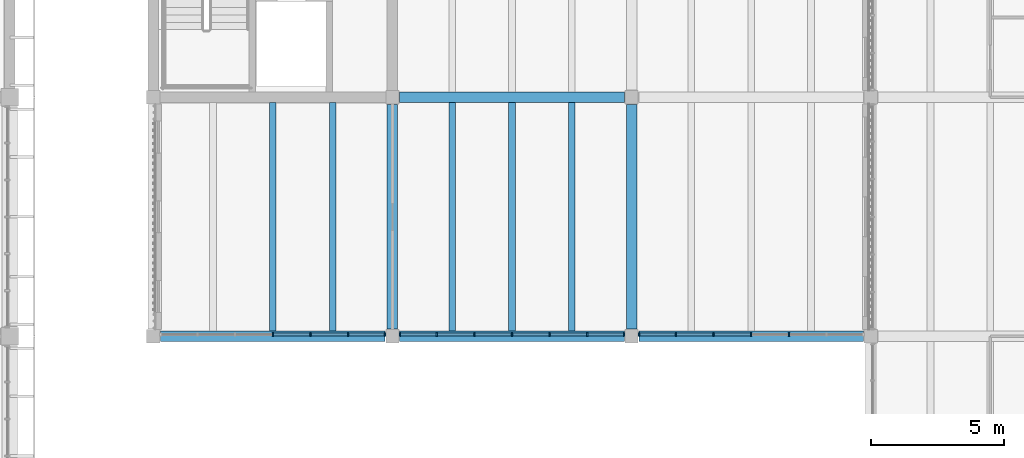
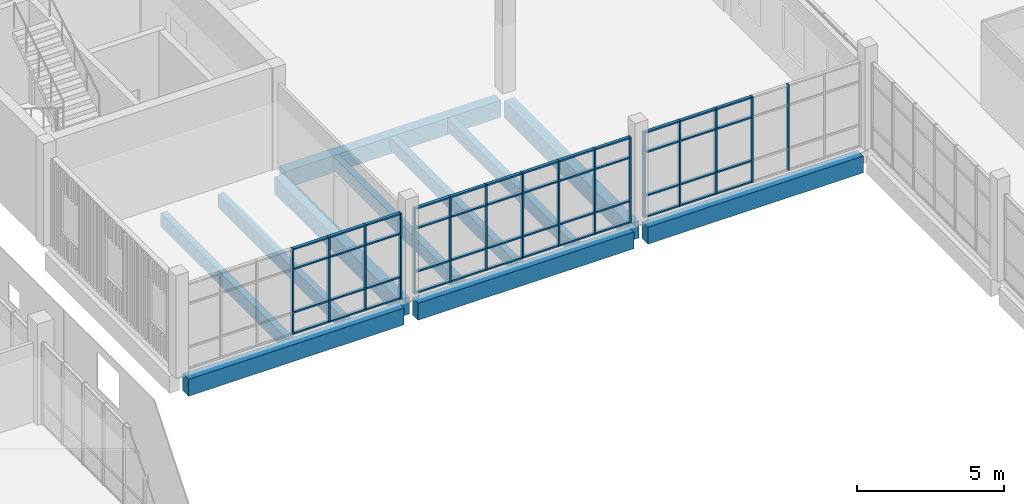
# One storey, part 23 of 92: 64 members, 11 beams, 3 elements without a shape of their own.
"""IFC4 building model written with IfcOpenShell, lengths in metres."""

from ifc_helpers import new_model, si_unit, direction, frame, origin, origin_2d, place, context, subcontext, project, spatial, rectangle, extrude, material, material_profile, profile_set, type_object, element, aggregate, save


model = new_model("IFC4")

# Units and contexts
model_context = context("Model", 3, precision=1e-05, world=origin(), true_north=direction((0.0, 1.0)))
body_context = subcontext(model_context, "Body", "Model", "MODEL_VIEW")
ifc_project = project(units=[si_unit("LENGTHUNIT", "METRE"), si_unit("AREAUNIT", "SQUARE_METRE"), si_unit("VOLUMEUNIT", "CUBIC_METRE"), si_unit("PLANEANGLEUNIT", "RADIAN"), si_unit("MASSUNIT", "GRAM", prefix="KILO")], contexts=[model_context])

# Site, building, storey
site_placement = place(None, origin())
site = spatial("IfcSite", under=ifc_project, at=site_placement, CompositionType="ELEMENT")
building_placement = place(site_placement, origin())
building = spatial("IfcBuilding", under=site, at=building_placement, Name="Merrow Basin Faculty of Sciences", CompositionType="ELEMENT")
storey_placement = place(building_placement, frame((0.0, 0.0, 4.5)))
storey = spatial("IfcBuildingStorey", under=building, at=storey_placement, Name="L01", CompositionType="ELEMENT", Elevation=4.5)

# Curtain wall, members
ifc_material_1 = material(Name="Aluminium alloy 6063", Category="aluminium")
curtain_wall_type = type_object("IfcCurtainWallType", Name="Court curtain wall 140", PredefinedType="NOTDEFINED", material=ifc_material_1)
curtain_wall_1_placement = place(storey_placement, origin())
curtain_wall_1 = element("IfcCurtainWall", 1, at=curtain_wall_1_placement, inside=storey, type_object=curtain_wall_type, Name="Court curtain wall L01 1", PredefinedType="NOTDEFINED")
ifc_material_2 = material(Name="Aluminium alloy 6063", Category="aluminium")
ifc_material_profile_1 = material_profile(ifc_material_2, rectangle(XDim=0.139892578125, YDim=0.06005859375, at=origin_2d()))
ifc_profile_set_1 = profile_set([ifc_material_profile_1], Name="Aluminium alloy 6063")
member_type_1 = type_object("IfcMemberType", Name="Aluminium mullion 60x140", PredefinedType="MULLION", material=ifc_profile_set_1)
member_1_placement = place(storey_placement, frame((31.5, 115.070068359375, 0.0), z_axis=(0.0, 0.0, 1.0), x_axis=(0.0, 1.0, 0.0)))
member_1 = element("IfcMember", 2, at=member_1_placement, type_object=member_type_1, Name="CW8 mullion 4", PredefinedType="MULLION", context=body_context, shape_type="SweptSolid", body=[
    extrude(rectangle(XDim=0.139892578125, YDim=0.06005859375, at=origin_2d()), origin(), (0.0, 0.0, 1.0), 3.550048828125),
])
member_2_placement = place(storey_placement, frame((32.916748046875, 115.070068359375, 0.0), z_axis=(0.0, 0.0, 1.0), x_axis=(0.0, 1.0, 0.0)))
member_2 = element("IfcMember", 3, at=member_2_placement, type_object=member_type_1, Name="CW8 mullion 5", PredefinedType="MULLION", context=body_context, shape_type="SweptSolid", body=[
    extrude(rectangle(XDim=0.139892578125, YDim=0.06005859375, at=origin_2d()), origin(), (0.0, 0.0, 1.0), 3.550048828125),
])
member_3_placement = place(storey_placement, frame((34.333251953125, 115.070068359375, 0.0), z_axis=(0.0, 0.0, 1.0), x_axis=(0.0, 1.0, 0.0)))
member_3 = element("IfcMember", 4, at=member_3_placement, type_object=member_type_1, Name="CW8 mullion 6", PredefinedType="MULLION", context=body_context, shape_type="SweptSolid", body=[
    extrude(rectangle(XDim=0.139892578125, YDim=0.06005859375, at=origin_2d()), origin(), (0.0, 0.0, 1.0), 3.550048828125),
])
member_4_placement = place(storey_placement, frame((35.719970703125, 115.070068359375, 0.0), z_axis=(0.0, 0.0, 1.0), x_axis=(0.0, 1.0, 0.0)))
member_4 = element("IfcMember", 5, at=member_4_placement, type_object=member_type_1, Name="CW8 mullion 7", PredefinedType="MULLION", context=body_context, shape_type="SweptSolid", body=[
    extrude(rectangle(XDim=0.139892578125, YDim=0.06005859375, at=origin_2d()), origin(), (0.0, 0.0, 1.0), 3.550048828125),
])

curtain_wall_2_placement = place(storey_placement, origin())
curtain_wall_2 = element("IfcCurtainWall", 6, at=curtain_wall_2_placement, inside=storey, type_object=curtain_wall_type, Name="Court curtain wall L01 2", PredefinedType="NOTDEFINED")
member_5_placement = place(storey_placement, frame((36.280029296875, 115.070068359375, 0.0), z_axis=(0.0, 0.0, 1.0), x_axis=(0.0, 1.0, 0.0)))
member_5 = element("IfcMember", 7, at=member_5_placement, type_object=member_type_1, Name="CW8 mullion 1", PredefinedType="MULLION", context=body_context, shape_type="SweptSolid", body=[
    extrude(rectangle(XDim=0.139892578125, YDim=0.06005859375, at=origin_2d()), origin(), (0.0, 0.0, 1.0), 3.550048828125),
])
member_6_placement = place(storey_placement, frame((37.666748046875, 115.070068359375, 0.0), z_axis=(0.0, 0.0, 1.0), x_axis=(0.0, 1.0, 0.0)))
member_6 = element("IfcMember", 8, at=member_6_placement, type_object=member_type_1, Name="CW8 mullion 2", PredefinedType="MULLION", context=body_context, shape_type="SweptSolid", body=[
    extrude(rectangle(XDim=0.139892578125, YDim=0.06005859375, at=origin_2d()), origin(), (0.0, 0.0, 1.0), 3.550048828125),
])
member_7_placement = place(storey_placement, frame((39.083251953125, 115.070068359375, 0.0), z_axis=(0.0, 0.0, 1.0), x_axis=(0.0, 1.0, 0.0)))
member_7 = element("IfcMember", 9, at=member_7_placement, type_object=member_type_1, Name="CW8 mullion 3", PredefinedType="MULLION", context=body_context, shape_type="SweptSolid", body=[
    extrude(rectangle(XDim=0.139892578125, YDim=0.06005859375, at=origin_2d()), origin(), (0.0, 0.0, 1.0), 3.550048828125),
])
member_8_placement = place(storey_placement, frame((40.5, 115.070068359375, 0.0), z_axis=(0.0, 0.0, 1.0), x_axis=(0.0, 1.0, 0.0)))
member_8 = element("IfcMember", 10, at=member_8_placement, type_object=member_type_1, Name="CW8 mullion 4", PredefinedType="MULLION", context=body_context, shape_type="SweptSolid", body=[
    extrude(rectangle(XDim=0.139892578125, YDim=0.06005859375, at=origin_2d()), origin(), (0.0, 0.0, 1.0), 3.550048828125),
])
member_9_placement = place(storey_placement, frame((41.916748046875, 115.070068359375, 0.0), z_axis=(0.0, 0.0, 1.0), x_axis=(0.0, 1.0, 0.0)))
member_9 = element("IfcMember", 11, at=member_9_placement, type_object=member_type_1, Name="CW8 mullion 5", PredefinedType="MULLION", context=body_context, shape_type="SweptSolid", body=[
    extrude(rectangle(XDim=0.139892578125, YDim=0.06005859375, at=origin_2d()), origin(), (0.0, 0.0, 1.0), 3.550048828125),
])
member_10_placement = place(storey_placement, frame((43.333251953125, 115.070068359375, 0.0), z_axis=(0.0, 0.0, 1.0), x_axis=(0.0, 1.0, 0.0)))
member_10 = element("IfcMember", 12, at=member_10_placement, type_object=member_type_1, Name="CW8 mullion 6", PredefinedType="MULLION", context=body_context, shape_type="SweptSolid", body=[
    extrude(rectangle(XDim=0.139892578125, YDim=0.06005859375, at=origin_2d()), origin(), (0.0, 0.0, 1.0), 3.550048828125),
])
member_11_placement = place(storey_placement, frame((44.719970703125, 115.070068359375, 0.0), z_axis=(0.0, 0.0, 1.0), x_axis=(0.0, 1.0, 0.0)))
member_11 = element("IfcMember", 13, at=member_11_placement, type_object=member_type_1, Name="CW8 mullion 7", PredefinedType="MULLION", context=body_context, shape_type="SweptSolid", body=[
    extrude(rectangle(XDim=0.139892578125, YDim=0.06005859375, at=origin_2d()), origin(), (0.0, 0.0, 1.0), 3.550048828125),
])

curtain_wall_3_placement = place(storey_placement, origin())
curtain_wall_3 = element("IfcCurtainWall", 14, at=curtain_wall_3_placement, inside=storey, type_object=curtain_wall_type, Name="Court curtain wall L01 3", PredefinedType="NOTDEFINED")
member_12_placement = place(storey_placement, frame((45.280029296875, 115.070068359375, 0.0), z_axis=(0.0, 0.0, 1.0), x_axis=(0.0, 1.0, 0.0)))
member_12 = element("IfcMember", 15, at=member_12_placement, type_object=member_type_1, Name="CW8 mullion 1", PredefinedType="MULLION", context=body_context, shape_type="SweptSolid", body=[
    extrude(rectangle(XDim=0.139892578125, YDim=0.06005859375, at=origin_2d()), origin(), (0.0, 0.0, 1.0), 3.550048828125),
])
member_13_placement = place(storey_placement, frame((46.666748046875, 115.070068359375, 0.0), z_axis=(0.0, 0.0, 1.0), x_axis=(0.0, 1.0, 0.0)))
member_13 = element("IfcMember", 16, at=member_13_placement, type_object=member_type_1, Name="CW8 mullion 2", PredefinedType="MULLION", context=body_context, shape_type="SweptSolid", body=[
    extrude(rectangle(XDim=0.139892578125, YDim=0.06005859375, at=origin_2d()), origin(), (0.0, 0.0, 1.0), 3.550048828125),
])
member_14_placement = place(storey_placement, frame((48.083251953125, 115.070068359375, 0.0), z_axis=(0.0, 0.0, 1.0), x_axis=(0.0, 1.0, 0.0)))
member_14 = element("IfcMember", 17, at=member_14_placement, type_object=member_type_1, Name="CW8 mullion 3", PredefinedType="MULLION", context=body_context, shape_type="SweptSolid", body=[
    extrude(rectangle(XDim=0.139892578125, YDim=0.06005859375, at=origin_2d()), origin(), (0.0, 0.0, 1.0), 3.550048828125),
])
member_15_placement = place(storey_placement, frame((49.5, 115.070068359375, 0.0), z_axis=(0.0, 0.0, 1.0), x_axis=(0.0, 1.0, 0.0)))
member_15 = element("IfcMember", 18, at=member_15_placement, type_object=member_type_1, Name="CW8 mullion 4", PredefinedType="MULLION", context=body_context, shape_type="SweptSolid", body=[
    extrude(rectangle(XDim=0.139892578125, YDim=0.06005859375, at=origin_2d()), origin(), (0.0, 0.0, 1.0), 3.550048828125),
])
member_16_placement = place(storey_placement, frame((50.916748046875, 115.070068359375, 0.0), z_axis=(0.0, 0.0, 1.0), x_axis=(0.0, 1.0, 0.0)))
member_16 = element("IfcMember", 19, at=member_16_placement, type_object=member_type_1, Name="CW8 mullion 5", PredefinedType="MULLION", context=body_context, shape_type="SweptSolid", body=[
    extrude(rectangle(XDim=0.139892578125, YDim=0.06005859375, at=origin_2d()), origin(), (0.0, 0.0, 1.0), 3.550048828125),
])

# Member
ifc_material_3 = material(Name="Aluminium alloy 6063", Category="aluminium")
ifc_material_profile_2 = material_profile(ifc_material_3, rectangle(XDim=0.1201171875, YDim=0.06005859375, at=origin_2d()))
ifc_profile_set_2 = profile_set([ifc_material_profile_2], Name="Aluminium alloy 6063")
member_type_2 = type_object("IfcMemberType", Name="Aluminium transom 60x120", PredefinedType="USERDEFINED", material=ifc_profile_set_2)
member_17_placement = place(storey_placement, frame((31.530029296875, 115.070068359375, 0.030029296875), z_axis=(1.0, 0.0, 0.0), x_axis=(0.0, 1.0, 0.0)))
member_17 = element("IfcMember", 20, at=member_17_placement, type_object=member_type_2, Name="CW8 transom 4.1", ObjectType="TRANSOM", PredefinedType="USERDEFINED", context=body_context, shape_type="SweptSolid", body=[
    extrude(rectangle(XDim=0.1201171875, YDim=0.06005859375, at=origin_2d()), origin(), (0.0, 0.0, 1.0), 1.356689453125),
])

member_18_placement = place(storey_placement, frame((31.530029296875, 115.070068359375, 0.89990234375), z_axis=(1.0, 0.0, 0.0), x_axis=(0.0, 1.0, 0.0)))
member_18 = element("IfcMember", 21, at=member_18_placement, type_object=member_type_2, Name="CW8 transom 4.2", ObjectType="TRANSOM", PredefinedType="USERDEFINED", context=body_context, shape_type="SweptSolid", body=[
    extrude(rectangle(XDim=0.1201171875, YDim=0.06005859375, at=origin_2d()), origin(), (0.0, 0.0, 1.0), 1.356689453125),
])

member_19_placement = place(storey_placement, frame((31.530029296875, 115.070068359375, 2.699951171875), z_axis=(1.0, 0.0, 0.0), x_axis=(0.0, 1.0, 0.0)))
member_19 = element("IfcMember", 22, at=member_19_placement, type_object=member_type_2, Name="CW8 transom 4.3", ObjectType="TRANSOM", PredefinedType="USERDEFINED", context=body_context, shape_type="SweptSolid", body=[
    extrude(rectangle(XDim=0.1201171875, YDim=0.06005859375, at=origin_2d()), origin(), (0.0, 0.0, 1.0), 1.356689453125),
])

member_20_placement = place(storey_placement, frame((31.530029296875, 115.070068359375, 3.52001953125), z_axis=(1.0, 0.0, 0.0), x_axis=(0.0, 1.0, 0.0)))
member_20 = element("IfcMember", 23, at=member_20_placement, type_object=member_type_2, Name="CW8 transom 4.4", ObjectType="TRANSOM", PredefinedType="USERDEFINED", context=body_context, shape_type="SweptSolid", body=[
    extrude(rectangle(XDim=0.1201171875, YDim=0.06005859375, at=origin_2d()), origin(), (0.0, 0.0, 1.0), 1.356689453125),
])

member_21_placement = place(storey_placement, frame((32.94677734375, 115.070068359375, 0.030029296875), z_axis=(1.0, 0.0, 0.0), x_axis=(0.0, 1.0, 0.0)))
member_21 = element("IfcMember", 24, at=member_21_placement, type_object=member_type_2, Name="CW8 transom 5.1", ObjectType="TRANSOM", PredefinedType="USERDEFINED", context=body_context, shape_type="SweptSolid", body=[
    extrude(rectangle(XDim=0.1201171875, YDim=0.06005859375, at=origin_2d()), origin(), (0.0, 0.0, 1.0), 1.3564453125),
])

member_22_placement = place(storey_placement, frame((32.94677734375, 115.070068359375, 0.89990234375), z_axis=(1.0, 0.0, 0.0), x_axis=(0.0, 1.0, 0.0)))
member_22 = element("IfcMember", 25, at=member_22_placement, type_object=member_type_2, Name="CW8 transom 5.2", ObjectType="TRANSOM", PredefinedType="USERDEFINED", context=body_context, shape_type="SweptSolid", body=[
    extrude(rectangle(XDim=0.1201171875, YDim=0.06005859375, at=origin_2d()), origin(), (0.0, 0.0, 1.0), 1.3564453125),
])

member_23_placement = place(storey_placement, frame((32.94677734375, 115.070068359375, 2.699951171875), z_axis=(1.0, 0.0, 0.0), x_axis=(0.0, 1.0, 0.0)))
member_23 = element("IfcMember", 26, at=member_23_placement, type_object=member_type_2, Name="CW8 transom 5.3", ObjectType="TRANSOM", PredefinedType="USERDEFINED", context=body_context, shape_type="SweptSolid", body=[
    extrude(rectangle(XDim=0.1201171875, YDim=0.06005859375, at=origin_2d()), origin(), (0.0, 0.0, 1.0), 1.3564453125),
])

member_24_placement = place(storey_placement, frame((32.94677734375, 115.070068359375, 3.52001953125), z_axis=(1.0, 0.0, 0.0), x_axis=(0.0, 1.0, 0.0)))
member_24 = element("IfcMember", 27, at=member_24_placement, type_object=member_type_2, Name="CW8 transom 5.4", ObjectType="TRANSOM", PredefinedType="USERDEFINED", context=body_context, shape_type="SweptSolid", body=[
    extrude(rectangle(XDim=0.1201171875, YDim=0.06005859375, at=origin_2d()), origin(), (0.0, 0.0, 1.0), 1.3564453125),
])

member_25_placement = place(storey_placement, frame((34.36328125, 115.070068359375, 0.030029296875), z_axis=(1.0, 0.0, 0.0), x_axis=(0.0, 1.0, 0.0)))
member_25 = element("IfcMember", 28, at=member_25_placement, type_object=member_type_2, Name="CW8 transom 6.1", ObjectType="TRANSOM", PredefinedType="USERDEFINED", context=body_context, shape_type="SweptSolid", body=[
    extrude(rectangle(XDim=0.1201171875, YDim=0.06005859375, at=origin_2d()), origin(), (0.0, 0.0, 1.0), 1.32666015625),
])

member_26_placement = place(storey_placement, frame((34.36328125, 115.070068359375, 0.89990234375), z_axis=(1.0, 0.0, 0.0), x_axis=(0.0, 1.0, 0.0)))
member_26 = element("IfcMember", 29, at=member_26_placement, type_object=member_type_2, Name="CW8 transom 6.2", ObjectType="TRANSOM", PredefinedType="USERDEFINED", context=body_context, shape_type="SweptSolid", body=[
    extrude(rectangle(XDim=0.1201171875, YDim=0.06005859375, at=origin_2d()), origin(), (0.0, 0.0, 1.0), 1.32666015625),
])

member_27_placement = place(storey_placement, frame((34.36328125, 115.070068359375, 2.699951171875), z_axis=(1.0, 0.0, 0.0), x_axis=(0.0, 1.0, 0.0)))
member_27 = element("IfcMember", 30, at=member_27_placement, type_object=member_type_2, Name="CW8 transom 6.3", ObjectType="TRANSOM", PredefinedType="USERDEFINED", context=body_context, shape_type="SweptSolid", body=[
    extrude(rectangle(XDim=0.1201171875, YDim=0.06005859375, at=origin_2d()), origin(), (0.0, 0.0, 1.0), 1.32666015625),
])

member_28_placement = place(storey_placement, frame((34.36328125, 115.070068359375, 3.52001953125), z_axis=(1.0, 0.0, 0.0), x_axis=(0.0, 1.0, 0.0)))
member_28 = element("IfcMember", 31, at=member_28_placement, type_object=member_type_2, Name="CW8 transom 6.4", ObjectType="TRANSOM", PredefinedType="USERDEFINED", context=body_context, shape_type="SweptSolid", body=[
    extrude(rectangle(XDim=0.1201171875, YDim=0.06005859375, at=origin_2d()), origin(), (0.0, 0.0, 1.0), 1.32666015625),
])

aggregate(curtain_wall_1, [member_1, member_2, member_3, member_4, member_17, member_18, member_19, member_20, member_21, member_22, member_23, member_24, member_25, member_26, member_27, member_28])

member_29_placement = place(storey_placement, frame((36.31005859375, 115.070068359375, 0.030029296875), z_axis=(1.0, 0.0, 0.0), x_axis=(0.0, 1.0, 0.0)))
member_29 = element("IfcMember", 32, at=member_29_placement, type_object=member_type_2, Name="CW8 transom 1.1", ObjectType="TRANSOM", PredefinedType="USERDEFINED", context=body_context, shape_type="SweptSolid", body=[
    extrude(rectangle(XDim=0.1201171875, YDim=0.06005859375, at=origin_2d()), origin(), (0.0, 0.0, 1.0), 1.32666015625),
])

member_30_placement = place(storey_placement, frame((36.31005859375, 115.070068359375, 0.89990234375), z_axis=(1.0, 0.0, 0.0), x_axis=(0.0, 1.0, 0.0)))
member_30 = element("IfcMember", 33, at=member_30_placement, type_object=member_type_2, Name="CW8 transom 1.2", ObjectType="TRANSOM", PredefinedType="USERDEFINED", context=body_context, shape_type="SweptSolid", body=[
    extrude(rectangle(XDim=0.1201171875, YDim=0.06005859375, at=origin_2d()), origin(), (0.0, 0.0, 1.0), 1.32666015625),
])

member_31_placement = place(storey_placement, frame((36.31005859375, 115.070068359375, 2.699951171875), z_axis=(1.0, 0.0, 0.0), x_axis=(0.0, 1.0, 0.0)))
member_31 = element("IfcMember", 34, at=member_31_placement, type_object=member_type_2, Name="CW8 transom 1.3", ObjectType="TRANSOM", PredefinedType="USERDEFINED", context=body_context, shape_type="SweptSolid", body=[
    extrude(rectangle(XDim=0.1201171875, YDim=0.06005859375, at=origin_2d()), origin(), (0.0, 0.0, 1.0), 1.32666015625),
])

member_32_placement = place(storey_placement, frame((36.31005859375, 115.070068359375, 3.52001953125), z_axis=(1.0, 0.0, 0.0), x_axis=(0.0, 1.0, 0.0)))
member_32 = element("IfcMember", 35, at=member_32_placement, type_object=member_type_2, Name="CW8 transom 1.4", ObjectType="TRANSOM", PredefinedType="USERDEFINED", context=body_context, shape_type="SweptSolid", body=[
    extrude(rectangle(XDim=0.1201171875, YDim=0.06005859375, at=origin_2d()), origin(), (0.0, 0.0, 1.0), 1.32666015625),
])

member_33_placement = place(storey_placement, frame((37.69677734375, 115.070068359375, 0.030029296875), z_axis=(1.0, 0.0, 0.0), x_axis=(0.0, 1.0, 0.0)))
member_33 = element("IfcMember", 36, at=member_33_placement, type_object=member_type_2, Name="CW8 transom 2.1", ObjectType="TRANSOM", PredefinedType="USERDEFINED", context=body_context, shape_type="SweptSolid", body=[
    extrude(rectangle(XDim=0.1201171875, YDim=0.06005859375, at=origin_2d()), origin(), (0.0, 0.0, 1.0), 1.3564453125),
])

member_34_placement = place(storey_placement, frame((37.69677734375, 115.070068359375, 0.89990234375), z_axis=(1.0, 0.0, 0.0), x_axis=(0.0, 1.0, 0.0)))
member_34 = element("IfcMember", 37, at=member_34_placement, type_object=member_type_2, Name="CW8 transom 2.2", ObjectType="TRANSOM", PredefinedType="USERDEFINED", context=body_context, shape_type="SweptSolid", body=[
    extrude(rectangle(XDim=0.1201171875, YDim=0.06005859375, at=origin_2d()), origin(), (0.0, 0.0, 1.0), 1.3564453125),
])

member_35_placement = place(storey_placement, frame((37.69677734375, 115.070068359375, 2.699951171875), z_axis=(1.0, 0.0, 0.0), x_axis=(0.0, 1.0, 0.0)))
member_35 = element("IfcMember", 38, at=member_35_placement, type_object=member_type_2, Name="CW8 transom 2.3", ObjectType="TRANSOM", PredefinedType="USERDEFINED", context=body_context, shape_type="SweptSolid", body=[
    extrude(rectangle(XDim=0.1201171875, YDim=0.06005859375, at=origin_2d()), origin(), (0.0, 0.0, 1.0), 1.3564453125),
])

member_36_placement = place(storey_placement, frame((37.69677734375, 115.070068359375, 3.52001953125), z_axis=(1.0, 0.0, 0.0), x_axis=(0.0, 1.0, 0.0)))
member_36 = element("IfcMember", 39, at=member_36_placement, type_object=member_type_2, Name="CW8 transom 2.4", ObjectType="TRANSOM", PredefinedType="USERDEFINED", context=body_context, shape_type="SweptSolid", body=[
    extrude(rectangle(XDim=0.1201171875, YDim=0.06005859375, at=origin_2d()), origin(), (0.0, 0.0, 1.0), 1.3564453125),
])

member_37_placement = place(storey_placement, frame((39.11328125, 115.070068359375, 0.030029296875), z_axis=(1.0, 0.0, 0.0), x_axis=(0.0, 1.0, 0.0)))
member_37 = element("IfcMember", 40, at=member_37_placement, type_object=member_type_2, Name="CW8 transom 3.1", ObjectType="TRANSOM", PredefinedType="USERDEFINED", context=body_context, shape_type="SweptSolid", body=[
    extrude(rectangle(XDim=0.1201171875, YDim=0.06005859375, at=origin_2d()), origin(), (0.0, 0.0, 1.0), 1.356689453125),
])

member_38_placement = place(storey_placement, frame((39.11328125, 115.070068359375, 0.89990234375), z_axis=(1.0, 0.0, 0.0), x_axis=(0.0, 1.0, 0.0)))
member_38 = element("IfcMember", 41, at=member_38_placement, type_object=member_type_2, Name="CW8 transom 3.2", ObjectType="TRANSOM", PredefinedType="USERDEFINED", context=body_context, shape_type="SweptSolid", body=[
    extrude(rectangle(XDim=0.1201171875, YDim=0.06005859375, at=origin_2d()), origin(), (0.0, 0.0, 1.0), 1.356689453125),
])

member_39_placement = place(storey_placement, frame((39.11328125, 115.070068359375, 2.699951171875), z_axis=(1.0, 0.0, 0.0), x_axis=(0.0, 1.0, 0.0)))
member_39 = element("IfcMember", 42, at=member_39_placement, type_object=member_type_2, Name="CW8 transom 3.3", ObjectType="TRANSOM", PredefinedType="USERDEFINED", context=body_context, shape_type="SweptSolid", body=[
    extrude(rectangle(XDim=0.1201171875, YDim=0.06005859375, at=origin_2d()), origin(), (0.0, 0.0, 1.0), 1.356689453125),
])

member_40_placement = place(storey_placement, frame((39.11328125, 115.070068359375, 3.52001953125), z_axis=(1.0, 0.0, 0.0), x_axis=(0.0, 1.0, 0.0)))
member_40 = element("IfcMember", 43, at=member_40_placement, type_object=member_type_2, Name="CW8 transom 3.4", ObjectType="TRANSOM", PredefinedType="USERDEFINED", context=body_context, shape_type="SweptSolid", body=[
    extrude(rectangle(XDim=0.1201171875, YDim=0.06005859375, at=origin_2d()), origin(), (0.0, 0.0, 1.0), 1.356689453125),
])

member_41_placement = place(storey_placement, frame((40.530029296875, 115.070068359375, 0.030029296875), z_axis=(1.0, 0.0, 0.0), x_axis=(0.0, 1.0, 0.0)))
member_41 = element("IfcMember", 44, at=member_41_placement, type_object=member_type_2, Name="CW8 transom 4.1", ObjectType="TRANSOM", PredefinedType="USERDEFINED", context=body_context, shape_type="SweptSolid", body=[
    extrude(rectangle(XDim=0.1201171875, YDim=0.06005859375, at=origin_2d()), origin(), (0.0, 0.0, 1.0), 1.356689453125),
])

member_42_placement = place(storey_placement, frame((40.530029296875, 115.070068359375, 0.89990234375), z_axis=(1.0, 0.0, 0.0), x_axis=(0.0, 1.0, 0.0)))
member_42 = element("IfcMember", 45, at=member_42_placement, type_object=member_type_2, Name="CW8 transom 4.2", ObjectType="TRANSOM", PredefinedType="USERDEFINED", context=body_context, shape_type="SweptSolid", body=[
    extrude(rectangle(XDim=0.1201171875, YDim=0.06005859375, at=origin_2d()), origin(), (0.0, 0.0, 1.0), 1.356689453125),
])

member_43_placement = place(storey_placement, frame((40.530029296875, 115.070068359375, 2.699951171875), z_axis=(1.0, 0.0, 0.0), x_axis=(0.0, 1.0, 0.0)))
member_43 = element("IfcMember", 46, at=member_43_placement, type_object=member_type_2, Name="CW8 transom 4.3", ObjectType="TRANSOM", PredefinedType="USERDEFINED", context=body_context, shape_type="SweptSolid", body=[
    extrude(rectangle(XDim=0.1201171875, YDim=0.06005859375, at=origin_2d()), origin(), (0.0, 0.0, 1.0), 1.356689453125),
])

member_44_placement = place(storey_placement, frame((40.530029296875, 115.070068359375, 3.52001953125), z_axis=(1.0, 0.0, 0.0), x_axis=(0.0, 1.0, 0.0)))
member_44 = element("IfcMember", 47, at=member_44_placement, type_object=member_type_2, Name="CW8 transom 4.4", ObjectType="TRANSOM", PredefinedType="USERDEFINED", context=body_context, shape_type="SweptSolid", body=[
    extrude(rectangle(XDim=0.1201171875, YDim=0.06005859375, at=origin_2d()), origin(), (0.0, 0.0, 1.0), 1.356689453125),
])

member_45_placement = place(storey_placement, frame((41.94677734375, 115.070068359375, 0.030029296875), z_axis=(1.0, 0.0, 0.0), x_axis=(0.0, 1.0, 0.0)))
member_45 = element("IfcMember", 48, at=member_45_placement, type_object=member_type_2, Name="CW8 transom 5.1", ObjectType="TRANSOM", PredefinedType="USERDEFINED", context=body_context, shape_type="SweptSolid", body=[
    extrude(rectangle(XDim=0.1201171875, YDim=0.06005859375, at=origin_2d()), origin(), (0.0, 0.0, 1.0), 1.3564453125),
])

member_46_placement = place(storey_placement, frame((41.94677734375, 115.070068359375, 0.89990234375), z_axis=(1.0, 0.0, 0.0), x_axis=(0.0, 1.0, 0.0)))
member_46 = element("IfcMember", 49, at=member_46_placement, type_object=member_type_2, Name="CW8 transom 5.2", ObjectType="TRANSOM", PredefinedType="USERDEFINED", context=body_context, shape_type="SweptSolid", body=[
    extrude(rectangle(XDim=0.1201171875, YDim=0.06005859375, at=origin_2d()), origin(), (0.0, 0.0, 1.0), 1.3564453125),
])

member_47_placement = place(storey_placement, frame((41.94677734375, 115.070068359375, 2.699951171875), z_axis=(1.0, 0.0, 0.0), x_axis=(0.0, 1.0, 0.0)))
member_47 = element("IfcMember", 50, at=member_47_placement, type_object=member_type_2, Name="CW8 transom 5.3", ObjectType="TRANSOM", PredefinedType="USERDEFINED", context=body_context, shape_type="SweptSolid", body=[
    extrude(rectangle(XDim=0.1201171875, YDim=0.06005859375, at=origin_2d()), origin(), (0.0, 0.0, 1.0), 1.3564453125),
])

member_48_placement = place(storey_placement, frame((41.94677734375, 115.070068359375, 3.52001953125), z_axis=(1.0, 0.0, 0.0), x_axis=(0.0, 1.0, 0.0)))
member_48 = element("IfcMember", 51, at=member_48_placement, type_object=member_type_2, Name="CW8 transom 5.4", ObjectType="TRANSOM", PredefinedType="USERDEFINED", context=body_context, shape_type="SweptSolid", body=[
    extrude(rectangle(XDim=0.1201171875, YDim=0.06005859375, at=origin_2d()), origin(), (0.0, 0.0, 1.0), 1.3564453125),
])

member_49_placement = place(storey_placement, frame((43.36328125, 115.070068359375, 0.030029296875), z_axis=(1.0, 0.0, 0.0), x_axis=(0.0, 1.0, 0.0)))
member_49 = element("IfcMember", 52, at=member_49_placement, type_object=member_type_2, Name="CW8 transom 6.1", ObjectType="TRANSOM", PredefinedType="USERDEFINED", context=body_context, shape_type="SweptSolid", body=[
    extrude(rectangle(XDim=0.1201171875, YDim=0.06005859375, at=origin_2d()), origin(), (0.0, 0.0, 1.0), 1.32666015625),
])

member_50_placement = place(storey_placement, frame((43.36328125, 115.070068359375, 0.89990234375), z_axis=(1.0, 0.0, 0.0), x_axis=(0.0, 1.0, 0.0)))
member_50 = element("IfcMember", 53, at=member_50_placement, type_object=member_type_2, Name="CW8 transom 6.2", ObjectType="TRANSOM", PredefinedType="USERDEFINED", context=body_context, shape_type="SweptSolid", body=[
    extrude(rectangle(XDim=0.1201171875, YDim=0.06005859375, at=origin_2d()), origin(), (0.0, 0.0, 1.0), 1.32666015625),
])

member_51_placement = place(storey_placement, frame((43.36328125, 115.070068359375, 2.699951171875), z_axis=(1.0, 0.0, 0.0), x_axis=(0.0, 1.0, 0.0)))
member_51 = element("IfcMember", 54, at=member_51_placement, type_object=member_type_2, Name="CW8 transom 6.3", ObjectType="TRANSOM", PredefinedType="USERDEFINED", context=body_context, shape_type="SweptSolid", body=[
    extrude(rectangle(XDim=0.1201171875, YDim=0.06005859375, at=origin_2d()), origin(), (0.0, 0.0, 1.0), 1.32666015625),
])

member_52_placement = place(storey_placement, frame((43.36328125, 115.070068359375, 3.52001953125), z_axis=(1.0, 0.0, 0.0), x_axis=(0.0, 1.0, 0.0)))
member_52 = element("IfcMember", 55, at=member_52_placement, type_object=member_type_2, Name="CW8 transom 6.4", ObjectType="TRANSOM", PredefinedType="USERDEFINED", context=body_context, shape_type="SweptSolid", body=[
    extrude(rectangle(XDim=0.1201171875, YDim=0.06005859375, at=origin_2d()), origin(), (0.0, 0.0, 1.0), 1.32666015625),
])

aggregate(curtain_wall_2, [member_5, member_6, member_7, member_8, member_9, member_10, member_11, member_29, member_30, member_31, member_32, member_33, member_34, member_35, member_36, member_37, member_38, member_39, member_40, member_41, member_42, member_43, member_44, member_45, member_46, member_47, member_48, member_49, member_50, member_51, member_52])

member_53_placement = place(storey_placement, frame((45.31005859375, 115.070068359375, 0.030029296875), z_axis=(1.0, 0.0, 0.0), x_axis=(0.0, 1.0, 0.0)))
member_53 = element("IfcMember", 56, at=member_53_placement, type_object=member_type_2, Name="CW8 transom 1.1", ObjectType="TRANSOM", PredefinedType="USERDEFINED", context=body_context, shape_type="SweptSolid", body=[
    extrude(rectangle(XDim=0.1201171875, YDim=0.06005859375, at=origin_2d()), origin(), (0.0, 0.0, 1.0), 1.32666015625),
])

member_54_placement = place(storey_placement, frame((45.31005859375, 115.070068359375, 0.89990234375), z_axis=(1.0, 0.0, 0.0), x_axis=(0.0, 1.0, 0.0)))
member_54 = element("IfcMember", 57, at=member_54_placement, type_object=member_type_2, Name="CW8 transom 1.2", ObjectType="TRANSOM", PredefinedType="USERDEFINED", context=body_context, shape_type="SweptSolid", body=[
    extrude(rectangle(XDim=0.1201171875, YDim=0.06005859375, at=origin_2d()), origin(), (0.0, 0.0, 1.0), 1.32666015625),
])

member_55_placement = place(storey_placement, frame((45.31005859375, 115.070068359375, 2.699951171875), z_axis=(1.0, 0.0, 0.0), x_axis=(0.0, 1.0, 0.0)))
member_55 = element("IfcMember", 58, at=member_55_placement, type_object=member_type_2, Name="CW8 transom 1.3", ObjectType="TRANSOM", PredefinedType="USERDEFINED", context=body_context, shape_type="SweptSolid", body=[
    extrude(rectangle(XDim=0.1201171875, YDim=0.06005859375, at=origin_2d()), origin(), (0.0, 0.0, 1.0), 1.32666015625),
])

member_56_placement = place(storey_placement, frame((45.31005859375, 115.070068359375, 3.52001953125), z_axis=(1.0, 0.0, 0.0), x_axis=(0.0, 1.0, 0.0)))
member_56 = element("IfcMember", 59, at=member_56_placement, type_object=member_type_2, Name="CW8 transom 1.4", ObjectType="TRANSOM", PredefinedType="USERDEFINED", context=body_context, shape_type="SweptSolid", body=[
    extrude(rectangle(XDim=0.1201171875, YDim=0.06005859375, at=origin_2d()), origin(), (0.0, 0.0, 1.0), 1.32666015625),
])

member_57_placement = place(storey_placement, frame((46.69677734375, 115.070068359375, 0.030029296875), z_axis=(1.0, 0.0, 0.0), x_axis=(0.0, 1.0, 0.0)))
member_57 = element("IfcMember", 60, at=member_57_placement, type_object=member_type_2, Name="CW8 transom 2.1", ObjectType="TRANSOM", PredefinedType="USERDEFINED", context=body_context, shape_type="SweptSolid", body=[
    extrude(rectangle(XDim=0.1201171875, YDim=0.06005859375, at=origin_2d()), origin(), (0.0, 0.0, 1.0), 1.3564453125),
])

member_58_placement = place(storey_placement, frame((46.69677734375, 115.070068359375, 0.89990234375), z_axis=(1.0, 0.0, 0.0), x_axis=(0.0, 1.0, 0.0)))
member_58 = element("IfcMember", 61, at=member_58_placement, type_object=member_type_2, Name="CW8 transom 2.2", ObjectType="TRANSOM", PredefinedType="USERDEFINED", context=body_context, shape_type="SweptSolid", body=[
    extrude(rectangle(XDim=0.1201171875, YDim=0.06005859375, at=origin_2d()), origin(), (0.0, 0.0, 1.0), 1.3564453125),
])

member_59_placement = place(storey_placement, frame((46.69677734375, 115.070068359375, 2.699951171875), z_axis=(1.0, 0.0, 0.0), x_axis=(0.0, 1.0, 0.0)))
member_59 = element("IfcMember", 62, at=member_59_placement, type_object=member_type_2, Name="CW8 transom 2.3", ObjectType="TRANSOM", PredefinedType="USERDEFINED", context=body_context, shape_type="SweptSolid", body=[
    extrude(rectangle(XDim=0.1201171875, YDim=0.06005859375, at=origin_2d()), origin(), (0.0, 0.0, 1.0), 1.3564453125),
])

member_60_placement = place(storey_placement, frame((46.69677734375, 115.070068359375, 3.52001953125), z_axis=(1.0, 0.0, 0.0), x_axis=(0.0, 1.0, 0.0)))
member_60 = element("IfcMember", 63, at=member_60_placement, type_object=member_type_2, Name="CW8 transom 2.4", ObjectType="TRANSOM", PredefinedType="USERDEFINED", context=body_context, shape_type="SweptSolid", body=[
    extrude(rectangle(XDim=0.1201171875, YDim=0.06005859375, at=origin_2d()), origin(), (0.0, 0.0, 1.0), 1.3564453125),
])

member_61_placement = place(storey_placement, frame((48.11328125, 115.070068359375, 0.030029296875), z_axis=(1.0, 0.0, 0.0), x_axis=(0.0, 1.0, 0.0)))
member_61 = element("IfcMember", 64, at=member_61_placement, type_object=member_type_2, Name="CW8 transom 3.1", ObjectType="TRANSOM", PredefinedType="USERDEFINED", context=body_context, shape_type="SweptSolid", body=[
    extrude(rectangle(XDim=0.1201171875, YDim=0.06005859375, at=origin_2d()), origin(), (0.0, 0.0, 1.0), 1.356689453125),
])

member_62_placement = place(storey_placement, frame((48.11328125, 115.070068359375, 0.89990234375), z_axis=(1.0, 0.0, 0.0), x_axis=(0.0, 1.0, 0.0)))
member_62 = element("IfcMember", 65, at=member_62_placement, type_object=member_type_2, Name="CW8 transom 3.2", ObjectType="TRANSOM", PredefinedType="USERDEFINED", context=body_context, shape_type="SweptSolid", body=[
    extrude(rectangle(XDim=0.1201171875, YDim=0.06005859375, at=origin_2d()), origin(), (0.0, 0.0, 1.0), 1.356689453125),
])

member_63_placement = place(storey_placement, frame((48.11328125, 115.070068359375, 2.699951171875), z_axis=(1.0, 0.0, 0.0), x_axis=(0.0, 1.0, 0.0)))
member_63 = element("IfcMember", 66, at=member_63_placement, type_object=member_type_2, Name="CW8 transom 3.3", ObjectType="TRANSOM", PredefinedType="USERDEFINED", context=body_context, shape_type="SweptSolid", body=[
    extrude(rectangle(XDim=0.1201171875, YDim=0.06005859375, at=origin_2d()), origin(), (0.0, 0.0, 1.0), 1.356689453125),
])

member_64_placement = place(storey_placement, frame((48.11328125, 115.070068359375, 3.52001953125), z_axis=(1.0, 0.0, 0.0), x_axis=(0.0, 1.0, 0.0)))
member_64 = element("IfcMember", 67, at=member_64_placement, type_object=member_type_2, Name="CW8 transom 3.4", ObjectType="TRANSOM", PredefinedType="USERDEFINED", context=body_context, shape_type="SweptSolid", body=[
    extrude(rectangle(XDim=0.1201171875, YDim=0.06005859375, at=origin_2d()), origin(), (0.0, 0.0, 1.0), 1.356689453125),
])

aggregate(curtain_wall_3, [member_12, member_13, member_14, member_15, member_16, member_53, member_54, member_55, member_56, member_57, member_58, member_59, member_60, member_61, member_62, member_63, member_64])

# Beams
ifc_material_4 = material(Name="Concrete C40/50", Category="concrete")
ifc_material_profile_3 = material_profile(ifc_material_4, rectangle(XDim=0.39990234375, YDim=0.699951171875, at=origin_2d()))
ifc_profile_set_3 = profile_set([ifc_material_profile_3], Name="Concrete C40/50")
beam_type_1 = type_object("IfcBeamType", Name="Beam RC400x700 C40/50", PredefinedType="BEAM", material=ifc_profile_set_3)
for number, where, z_axis, x_axis, name in (
    (68, (27.27490234375, 115.0, -0.60009765625), (1.0, 0.0, 0.0), (0.0, 1.0, 0.0), "B3 L01 010"),
    (69, (36.27490234375, 115.0, -0.60009765625), (1.0, 0.0, 0.0), (0.0, 1.0, 0.0), "B3 L01 011"),
    (70, (45.27490234375, 115.0, -0.60009765625), (1.0, 0.0, 0.0), (0.0, 1.0, 0.0), "B3 L01 012"),
    (71, (36.27490234375, 124.0, -0.60009765625), (1.0, 0.0, 0.0), (0.0, 1.0, 0.0), "B3 L01 014"),
    (72, (36.0, 115.27490234375, -0.60009765625), (0.0, 1.0, 0.0), (-1.0, 0.0, 0.0), "B3 L01 021"),
    (73, (45.0, 115.27490234375, -0.60009765625), (0.0, 1.0, 0.0), (-1.0, 0.0, 0.0), "B3 L01 022"),
):
    element("IfcBeam", number, at=place(storey_placement, frame(where, z_axis=z_axis, x_axis=x_axis)), inside=storey, type_object=beam_type_1, Name=name, PredefinedType="BEAM", context=body_context, shape_type="SweptSolid", body=[
        extrude(rectangle(XDim=0.39990234375, YDim=0.699951171875, at=origin_2d()), origin(), (0.0, 0.0, 1.0), 8.4501953125),
    ])
ifc_material_5 = material(Name="Concrete C40/50", Category="concrete")
ifc_material_profile_4 = material_profile(ifc_material_5, rectangle(XDim=0.25, YDim=0.550048828125, at=origin_2d()))
ifc_profile_set_4 = profile_set([ifc_material_profile_4], Name="Concrete C40/50")
beam_type_2 = type_object("IfcBeamType", Name="Commons floor joist RC250x550 C40/50", PredefinedType="BEAM", material=ifc_profile_set_4)
for number, where, z_axis, x_axis, name in (
    (74, (31.5, 115.199951171875, -0.52490234375), (0.0, 1.0, 0.0), (-1.0, 0.0, 0.0), "JC1 L01 043"),
    (75, (33.75, 115.199951171875, -0.52490234375), (0.0, 1.0, 0.0), (-1.0, 0.0, 0.0), "JC1 L01 044"),
    (76, (38.25, 115.199951171875, -0.52490234375), (0.0, 1.0, 0.0), (-1.0, 0.0, 0.0), "JC1 L01 048"),
    (77, (40.5, 115.199951171875, -0.52490234375), (0.0, 1.0, 0.0), (-1.0, 0.0, 0.0), "JC1 L01 049"),
    (78, (42.75, 115.199951171875, -0.52490234375), (0.0, 1.0, 0.0), (-1.0, 0.0, 0.0), "JC1 L01 050"),
):
    element("IfcBeam", number, at=place(storey_placement, frame(where, z_axis=z_axis, x_axis=x_axis)), inside=storey, type_object=beam_type_2, Name=name, PredefinedType="BEAM", context=body_context, shape_type="SweptSolid", body=[
        extrude(rectangle(XDim=0.25, YDim=0.550048828125, at=origin_2d()), origin(), (0.0, 0.0, 1.0), 8.60009765625),
    ])

save(model, "model.ifc")
